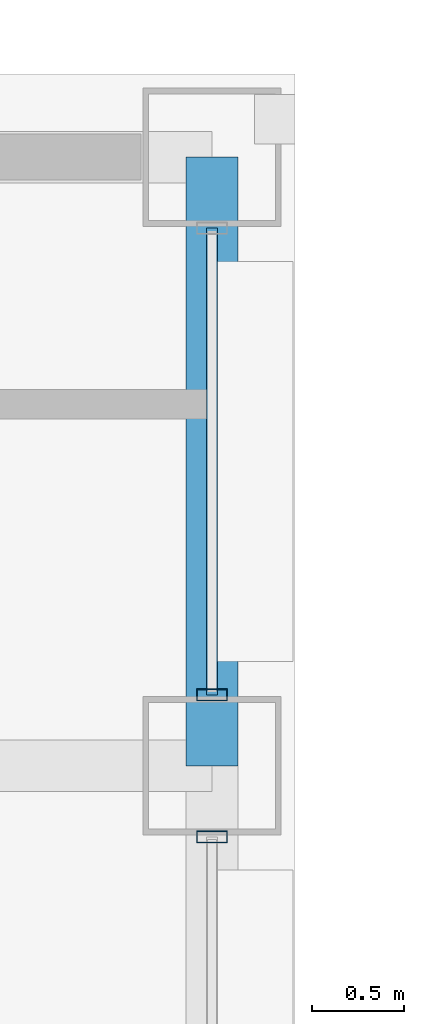
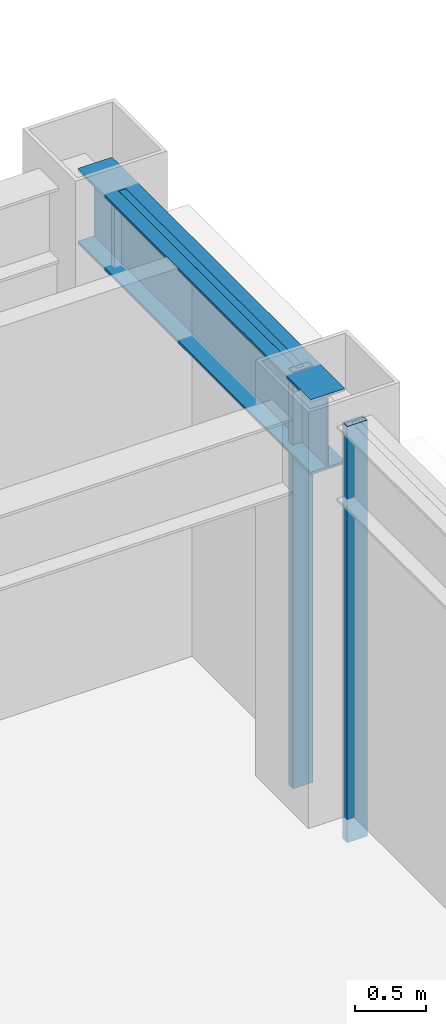
# One storey, part 17 of 26: 3 members, 1 beam, 2 elements without a shape of their own.
"""IFC4 building model written with IfcOpenShell, lengths in metres."""

from ifc_helpers import new_model, si_unit, direction, frame, origin, origin_2d, place, context, subcontext, project, spatial, hollow_rectangle, i_section, extrude, material, layer, layer_set, material_profile, profile_set, type_object, element, aggregate, save


model = new_model("IFC4")

# Units and contexts
model_context = context("Model", 3, precision=1e-05, world=origin(), true_north=direction((0.0, 1.0)))
body_context = subcontext(model_context, "Body", "Model", "MODEL_VIEW")
ifc_project = project(units=[si_unit("LENGTHUNIT", "METRE"), si_unit("AREAUNIT", "SQUARE_METRE"), si_unit("VOLUMEUNIT", "CUBIC_METRE"), si_unit("PLANEANGLEUNIT", "RADIAN"), si_unit("MASSUNIT", "GRAM", prefix="KILO")], contexts=[model_context])

# Site, building, storey
site_placement = place(None, origin())
site = spatial("IfcSite", under=ifc_project, at=site_placement, CompositionType="ELEMENT")
building_placement = place(site_placement, origin())
building = spatial("IfcBuilding", under=site, at=building_placement, Name="Brelmoor Portico Tower", CompositionType="ELEMENT")
storey_placement = place(building_placement, frame((0.0, 0.0, 180.300048828125)))
storey = spatial("IfcBuildingStorey", under=building, at=storey_placement, Name="L47", CompositionType="ELEMENT", Elevation=180.300048828125)

# Beam
ifc_material_1 = material(Name="Steel Q355B", Category="steel")
ifc_material_profile_1 = material_profile(ifc_material_1, i_section(OverallWidth=0.280029296875, OverallDepth=0.64990234375, WebThickness=0.012939453125, FlangeThickness=0.02197265625, at=origin_2d()), Name="HN 650x280x13x22")
ifc_profile_set_1 = profile_set([ifc_material_profile_1], Name="Steel Q355B")
beam_type = type_object("IfcBeamType", Name="BM-SP-650", PredefinedType="SPANDREL", material=ifc_profile_set_1)
beam_placement = place(storey_placement, frame((20.550048828125, 9.75, 3.074951171875), z_axis=(0.0, 1.0, 0.0), x_axis=(-1.0, 0.0, 0.0)))
element("IfcBeam", 1, at=beam_placement, inside=storey, type_object=beam_type, Name="L47 Perimeter Spandrel Beam SP-20", PredefinedType="SPANDREL", context=body_context, shape_type="SweptSolid", body=[
    extrude(i_section(OverallWidth=0.280029296875, OverallDepth=0.64990234375, WebThickness=0.012939453125, FlangeThickness=0.02197265625, at=origin_2d()), origin(), (0.0, 0.0, 1.0), 3.300048828125),
])

# Curtain wall, member
ifc_material_2 = material(Name="Anodised Aluminium Alloy 6063-T6", Category="aluminium")
ifc_layer = layer(ifc_material_2, 0.179931640625)
ifc_layer_set = layer_set([ifc_layer], Name="Anodised Aluminium Alloy 6063-T6")
curtain_wall_type = type_object("IfcCurtainWallType", Name="CW-TOWER-Z3-XB", PredefinedType="NOTDEFINED", material=ifc_layer_set)
curtain_wall_1_placement = place(storey_placement, origin())
curtain_wall_1 = element("IfcCurtainWall", 2, at=curtain_wall_1_placement, inside=storey, type_object=curtain_wall_type, Name="L47 Curtain Wall CW-L47-04-2", PredefinedType="NOTDEFINED")
ifc_material_profile_2 = material_profile(ifc_material_2, hollow_rectangle(XDim=0.06494140625, YDim=0.1650390625, WallThickness=0.00390625, at=origin_2d()), Name="ALU MULLION 65x165")
ifc_profile_set_2 = profile_set([ifc_material_profile_2], Name="Anodised Aluminium Alloy 6063-T6")
member_type_1 = type_object("IfcMemberType", Name="MB-CW-MULL-165", PredefinedType="MULLION", material=ifc_profile_set_2)
member_1_placement = place(storey_placement, frame((20.550048828125, 9.364990234375, -0.199951171875), z_axis=(0.0, 0.0, 1.0), x_axis=(0.0, 1.0, 0.0)))
member_1 = element("IfcMember", 3, at=member_1_placement, type_object=member_type_1, Name="CW-L47-04-2 Mullion 02", PredefinedType="MULLION", context=body_context, shape_type="SweptSolid", body=[
    extrude(hollow_rectangle(XDim=0.06494140625, YDim=0.1650390625, WallThickness=0.00390625, at=origin_2d()), origin(), (0.0, 0.0, 1.0), 3.599853515625),
])
aggregate(curtain_wall_1, [member_1])

# Curtain wall, members
curtain_wall_2_placement = place(storey_placement, origin())
curtain_wall_2 = element("IfcCurtainWall", 4, at=curtain_wall_2_placement, inside=storey, type_object=curtain_wall_type, Name="L47 Curtain Wall CW-L47-04-3", PredefinedType="NOTDEFINED")
member_2_placement = place(storey_placement, frame((20.550048828125, 10.135009765625, -0.199951171875), z_axis=(0.0, 0.0, 1.0), x_axis=(0.0, 1.0, 0.0)))
member_2 = element("IfcMember", 5, at=member_2_placement, type_object=member_type_1, Name="CW-L47-04-3 Mullion 00", PredefinedType="MULLION", context=body_context, shape_type="SweptSolid", body=[
    extrude(hollow_rectangle(XDim=0.06494140625, YDim=0.1650390625, WallThickness=0.00390625, at=origin_2d()), origin(), (0.0, 0.0, 1.0), 3.599853515625),
])
ifc_material_profile_3 = material_profile(ifc_material_2, hollow_rectangle(XDim=0.06005859375, YDim=0.125, WallThickness=0.00341796875, at=origin_2d()), Name="ALU TRANSOM 60x125")
ifc_profile_set_3 = profile_set([ifc_material_profile_3], Name="Anodised Aluminium Alloy 6063-T6")
member_type_2 = type_object("IfcMemberType", Name="MB-CW-TRAN-125", PredefinedType="USERDEFINED", material=ifc_profile_set_3)
member_3_placement = place(storey_placement, frame((20.550048828125, 10.135009765625, 3.33740234375), z_axis=(0.0, 1.0, 0.0), x_axis=(-1.0, 0.0, 0.0)))
member_3 = element("IfcMember", 6, at=member_3_placement, type_object=member_type_2, Name="CW-L47-04-3 Transom 1-00", ObjectType="TRANSOM", PredefinedType="USERDEFINED", context=body_context, shape_type="SweptSolid", body=[
    extrude(hollow_rectangle(XDim=0.06005859375, YDim=0.125, WallThickness=0.00341796875, at=origin_2d()), origin(), (0.0, 0.0, 1.0), 2.530029296875),
])
aggregate(curtain_wall_2, [member_2, member_3])

save(model, "model.ifc")
